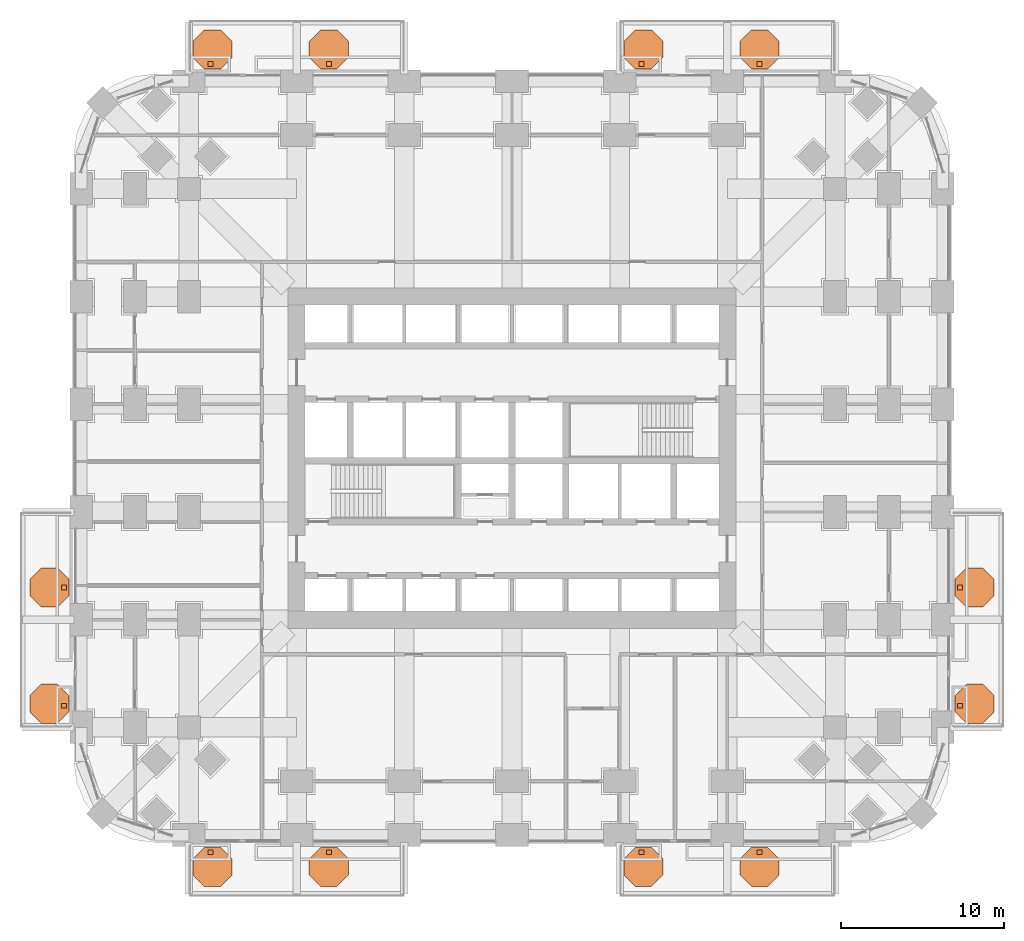
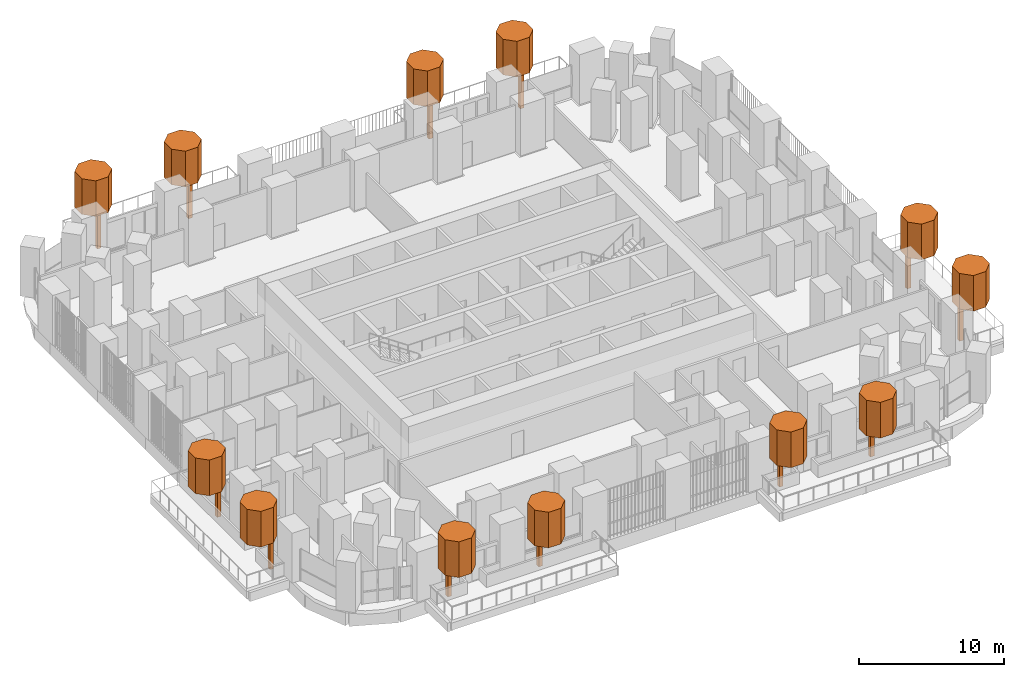
# One storey, part 25 of 25: 24 geographic elements.
"""IFC4 building model written with IfcOpenShell, lengths in metres."""

import ifcopenshell
import ifcopenshell.guid

model = None  # the IFC model being written
_history = None  # IfcOwnerHistory: only IFC2X3 demands one
_inside = {}  # id of a spatial element -> (the spatial element, [elements in it])
_under = {}  # id of a project, library or spatial element -> (it, [spatial elements below it])
_declared = {}  # id of a project -> (the project, [libraries it declares])
_typed = {}  # id of a type object -> (the type object, [elements of that type])
_made_of = {}  # id of a material, layer set ... -> (it, [elements and type objects made of it])


def new_model(schema):
    """Start an empty IFC model of exactly this schema.

    Asked for "IFC4X3", IfcOpenShell would pick the latest addendum, in which some entities
    have other attributes; the version numbers below select the first issue.
    IFC2X3 requires an IfcOwnerHistory on every rooted entity: one is made here for all.
    """
    global model, _history
    if schema == "IFC4X3":
        model = ifcopenshell.file(schema_version=(4, 3, 0, 0))
    else:
        model = ifcopenshell.file(schema=schema)
    _inside.clear()
    _under.clear()
    _declared.clear()
    _typed.clear()
    _made_of.clear()
    _history = None
    if model.schema == "IFC2X3":
        org = make("IfcOrganization", Name="unknown")
        user = make(
            "IfcPersonAndOrganization",
            ThePerson=make("IfcPerson", FamilyName="unknown"),
            TheOrganization=org,
        )
        app = make(
            "IfcApplication",
            ApplicationDeveloper=org,
            Version="unknown",
            ApplicationFullName="unknown",
            ApplicationIdentifier="unknown",
        )
        _history = make(
            "IfcOwnerHistory",
            OwningUser=user,
            OwningApplication=app,
            ChangeAction="ADDED",
            CreationDate=0,
        )
    return model


def make(cls, **values):
    """One entity of the class cls with the attributes given. An attribute that is None is left unset."""
    return model.create_entity(
        cls, **{name: value for name, value in values.items() if value is not None}
    )


def rooted(cls, **values):
    """An entity with a GlobalId (a new one), such as an element, a storey or a relation."""
    return make(cls, GlobalId=ifcopenshell.guid.new(), OwnerHistory=_history, **values)


def si_unit(unit_type, name, prefix=None):
    """IfcSIUnit, for example si_unit("LENGTHUNIT", "METRE", prefix="MILLI")."""
    return make("IfcSIUnit", UnitType=unit_type, Prefix=prefix, Name=name)


def assignment(units):
    """IfcUnitAssignment: the units of a project."""
    return None if units is None else make("IfcUnitAssignment", Units=units)


def point(xyz):
    """IfcCartesianPoint."""
    return None if xyz is None else make("IfcCartesianPoint", Coordinates=xyz)


def direction(xyz):
    """IfcDirection."""
    return None if xyz is None else make("IfcDirection", DirectionRatios=xyz)


def frame(location, z_axis=None, x_axis=None):
    """IfcAxis2Placement3D, a coordinate frame: its origin and axes. An axis left out is left unset."""
    return make(
        "IfcAxis2Placement3D",
        Location=point(location),
        Axis=direction(z_axis),
        RefDirection=direction(x_axis),
    )


def frame_2d(location, x_axis=None):
    """IfcAxis2Placement2D, a coordinate frame in the plane: its origin and x axis."""
    return make(
        "IfcAxis2Placement2D", Location=point(location), RefDirection=direction(x_axis)
    )


def origin():
    """The frame at (0, 0, 0) with its axes left unset."""
    return frame((0.0, 0.0, 0.0))


def origin_2d():
    """The frame at (0, 0) in the plane with its x axis left unset."""
    return frame_2d((0.0, 0.0))


def place(relative_to, where):
    """IfcLocalPlacement: puts the frame where relative to a parent placement (None: the world)."""
    return make(
        "IfcLocalPlacement", PlacementRelTo=relative_to, RelativePlacement=where
    )


def context(
    kind, dimensions, precision=None, world=None, true_north=None, identifier=None
):
    """IfcGeometricRepresentationContext, for example the 3D "Model" context."""
    return make(
        "IfcGeometricRepresentationContext",
        ContextIdentifier=identifier,
        ContextType=kind,
        CoordinateSpaceDimension=dimensions,
        Precision=precision,
        WorldCoordinateSystem=world,
        TrueNorth=true_north,
    )


def subcontext(parent, identifier, kind, view, scale=None):
    """IfcGeometricRepresentationSubContext, for example "Body" below "Model"."""
    return make(
        "IfcGeometricRepresentationSubContext",
        ContextIdentifier=identifier,
        ContextType=kind,
        ParentContext=parent,
        TargetScale=scale,
        TargetView=view,
    )


def project(units=None, contexts=None):
    """IfcProject with its units and contexts."""
    return rooted(
        "IfcProject",
        Name="project",
        RepresentationContexts=contexts,
        UnitsInContext=assignment(units),
    )


def spatial(cls, under=None, at=None, **own):
    """A site, building, storey or space (cls), placed at a placement, below another one or the project."""
    s = rooted(cls, ObjectPlacement=at, **own)
    if under is not None:
        _under.setdefault(under.id(), (under, []))[1].append(s)
    return s


def polyline(points):
    """IfcPolyline through the points."""
    return make("IfcPolyline", Points=[point(p) for p in points])


def profile(cls, at=None, kind="AREA", **sizes):
    """A parametric profile (cls). Its sizes go by their IFC names, for example OverallWidth=200.0."""
    return make(cls, ProfileType=kind, Position=at, **sizes)


def rectangle(**sizes):
    """IfcRectangleProfileDef."""
    return profile("IfcRectangleProfileDef", **sizes)


def outline(outer, holes=None, kind="AREA"):
    """IfcArbitraryClosedProfileDef: a profile drawn as a closed curve; with holes, ...WithVoids."""
    if holes is None:
        return make("IfcArbitraryClosedProfileDef", ProfileType=kind, OuterCurve=outer)
    return make(
        "IfcArbitraryProfileDefWithVoids",
        ProfileType=kind,
        OuterCurve=outer,
        InnerCurves=holes,
    )


def extrude(swept, where, along, depth):
    """IfcExtrudedAreaSolid: the profile swept, set in the frame where, extruded along a direction by depth."""
    return make(
        "IfcExtrudedAreaSolid",
        SweptArea=swept,
        Position=where,
        ExtrudedDirection=direction(along),
        Depth=depth,
    )


def shape(context_of_items, identifier, shape_type, items):
    """IfcShapeRepresentation: the items that make up one representation, for example the "Body"."""
    return make(
        "IfcShapeRepresentation",
        ContextOfItems=context_of_items,
        RepresentationIdentifier=identifier,
        RepresentationType=shape_type,
        Items=items,
    )


def material(Name=None, Category=None):
    """IfcMaterial."""
    return make("IfcMaterial", Name=Name, Category=Category)


def made_of(thing, what):
    """Note that an element or type object is made of a material, layer set ...; save() writes the relation."""
    if what is not None:
        _made_of.setdefault(what.id(), (what, []))[1].append(thing)
    return thing


def type_object(cls, material=None, **own):
    """A type object (cls), such as IfcWallType, which elements share."""
    return made_of(rooted(cls, **own), material)


def element(
    cls,
    number,
    at=None,
    inside=None,
    cuts=None,
    type_object=None,
    material=None,
    context=None,
    identifier="Body",
    shape_type=None,
    held_by="IfcProductDefinitionShape",
    body=None,
    shapes=None,
    **own,
):
    """One element of the class cls, such as IfcWall. Its Tag is "e" and its number.

    at: its placement. inside: the storey or other place that contains it. cuts: it is an
    opening in that element (IfcRelVoidsElement). A single representation is given by context,
    identifier, shape_type and body (its items); several are given by shapes. held_by: the class
    of the entity that holds the representations. save() writes the other relations.
    """
    e = rooted(cls, Tag="e%d" % number, ObjectPlacement=at, **own)
    if body is not None:
        shapes = [shape(context, identifier, shape_type, body)]
    if shapes is not None:
        e.Representation = make(held_by, Representations=shapes)
    if inside is not None:
        _inside.setdefault(inside.id(), (inside, []))[1].append(e)
    if cuts is not None:
        rooted(
            "IfcRelVoidsElement", RelatingBuildingElement=cuts, RelatedOpeningElement=e
        )
    if type_object is not None:
        _typed.setdefault(type_object.id(), (type_object, []))[1].append(e)
    return made_of(e, material)


def aggregate(whole, parts):
    """IfcRelAggregates: a whole, such as a stair, and the parts it consists of."""
    return rooted("IfcRelAggregates", RelatingObject=whole, RelatedObjects=parts)


def save(model, path):
    """Write the relations noted so far, then the file.

    IfcRelAggregates (storeys below a building ...), IfcRelContainedInSpatialStructure (elements
    in a storey), IfcRelDefinesByType, IfcRelAssociatesMaterial and IfcRelDeclares: one each for
    every whole, place, type object, material and project.
    """
    for whole, parts in _under.values():
        aggregate(whole, parts)
    for where, things in _inside.values():
        rooted(
            "IfcRelContainedInSpatialStructure",
            RelatedElements=things,
            RelatingStructure=where,
        )
    for kind, things in _typed.values():
        rooted("IfcRelDefinesByType", RelatedObjects=things, RelatingType=kind)
    for what, things in _made_of.values():
        rooted("IfcRelAssociatesMaterial", RelatedObjects=things, RelatingMaterial=what)
    for by, libraries in _declared.values():
        rooted("IfcRelDeclares", RelatingContext=by, RelatedDefinitions=libraries)
    model.write(path)


model = new_model("IFC4")

# Units and contexts
model_context = context("Model", 3, precision=1e-05, world=origin(), true_north=direction((0.0, 1.0)))
body_context = subcontext(model_context, "Body", "Model", "MODEL_VIEW")
ifc_project = project(units=[si_unit("LENGTHUNIT", "METRE"), si_unit("AREAUNIT", "SQUARE_METRE"), si_unit("VOLUMEUNIT", "CUBIC_METRE"), si_unit("PLANEANGLEUNIT", "RADIAN"), si_unit("MASSUNIT", "GRAM", prefix="KILO")], contexts=[model_context])

# Site, building, storey
site_placement = place(None, origin())
site = spatial("IfcSite", under=ifc_project, at=site_placement, CompositionType="ELEMENT")
building_placement = place(site_placement, origin())
building = spatial("IfcBuilding", under=site, at=building_placement, Name="Cobogo Forest Laboratory Tower", CompositionType="ELEMENT")
storey_placement = place(building_placement, frame((0.0, 0.0, 21.300048828125)))
storey = spatial("IfcBuildingStorey", under=building, at=storey_placement, Name="L04", CompositionType="ELEMENT", Elevation=21.300048828125)

# Geographic elements
ifc_material = material(Name="Planting", Category="plant")
geographic_element_type_1 = type_object("IfcGeographicElementType", Name="Tree trunk 300", PredefinedType="USERDEFINED", material=ifc_material)
for number, where, z_axis, x_axis, name in (
    (1, (7.925048828125, -1.050048828125, 0.0), (0.0, 0.0, 1.0), (1.0, 0.0, 0.0), "Tree trunk BAL-S1-PL1 L04"),
    (2, (15.175048828125, -1.050048828125, 0.0), (0.0, 0.0, 1.0), (1.0, 0.0, 0.0), "Tree trunk BAL-S1-PL2 L04"),
    (3, (34.324951171875, -1.050048828125, 0.0), (0.0, 0.0, 1.0), (1.0, 0.0, 0.0), "Tree trunk BAL-S2-PL1 L04"),
    (4, (41.574951171875, -1.050048828125, 0.0), (0.0, 0.0, 1.0), (1.0, 0.0, 0.0), "Tree trunk BAL-S2-PL2 L04"),
    (5, (53.85009765625, 7.925048828125, 0.0), (0.0, 0.0, 1.0), (1.0, 0.0, 0.0), "Tree trunk BAL-E1-PL1 L04"),
    (6, (53.85009765625, 15.175048828125, 0.0), (0.0, 0.0, 1.0), (1.0, 0.0, 0.0), "Tree trunk BAL-E1-PL2 L04"),
    (7, (7.925048828125, 47.25, 0.0), (0.0, 0.0, 1.0), (1.0, 0.0, 0.0), "Tree trunk BAL-N1-PL1 L04"),
    (8, (15.175048828125, 47.25, 0.0), (0.0, 0.0, 1.0), (1.0, 0.0, 0.0), "Tree trunk BAL-N1-PL2 L04"),
    (9, (34.324951171875, 47.25, 0.0), (0.0, 0.0, 1.0), (1.0, 0.0, 0.0), "Tree trunk BAL-N2-PL1 L04"),
    (10, (41.574951171875, 47.25, 0.0), (0.0, 0.0, 1.0), (1.0, 0.0, 0.0), "Tree trunk BAL-N2-PL2 L04"),
    (11, (-1.050048828125, 7.925048828125, 0.0), (0.0, 0.0, 1.0), (1.0, 0.0, 0.0), "Tree trunk BAL-W1-PL1 L04"),
    (12, (-1.050048828125, 15.175048828125, 0.0), (0.0, 0.0, 1.0), (1.0, 0.0, 0.0), "Tree trunk BAL-W1-PL2 L04"),
):
    element("IfcGeographicElement", number, at=place(storey_placement, frame(where, z_axis=z_axis, x_axis=x_axis)), inside=storey, type_object=geographic_element_type_1, Name=name, ObjectType="TREE TRUNK", PredefinedType="USERDEFINED", context=body_context, shape_type="SweptSolid", body=[
        extrude(rectangle(XDim=0.300048828125, YDim=0.300048828125, at=origin_2d()), origin(), (0.0, 0.0, 1.0), 2.89990234375),
    ])
geographic_element_type_2 = type_object("IfcGeographicElementType", Name="Tree, holm oak 5 m", PredefinedType="USERDEFINED", material=ifc_material)
geographic_element_1_placement = place(storey_placement, frame((0.0, 0.0, 2.89990234375)))
element("IfcGeographicElement", 13, at=geographic_element_1_placement, inside=storey, type_object=geographic_element_type_2, Name="Holm tree BAL-S1-PL1 L04", ObjectType="TREE", PredefinedType="USERDEFINED", context=body_context, shape_type="SweptSolid", body=[
    extrude(outline(polyline([(9.25, -2.447021484375), (9.25, -1.452880859375), (8.547119140625, -0.75), (7.552978515625, -0.75), (6.85009765625, -1.452880859375), (6.85009765625, -2.447021484375), (7.552978515625, -3.14990234375), (8.547119140625, -3.14990234375), (9.25, -2.447021484375)])), origin(), (0.0, 0.0, 1.0), 3.0),
])
geographic_element_2_placement = place(storey_placement, frame((0.0, 0.0, 2.89990234375)))
element("IfcGeographicElement", 14, at=geographic_element_2_placement, inside=storey, type_object=geographic_element_type_2, Name="Holm tree BAL-S1-PL2 L04", ObjectType="TREE", PredefinedType="USERDEFINED", context=body_context, shape_type="SweptSolid", body=[
    extrude(outline(polyline([(16.375, -2.447021484375), (16.375, -1.452880859375), (15.672119140625, -0.75), (14.677978515625, -0.75), (13.97509765625, -1.452880859375), (13.97509765625, -2.447021484375), (14.677978515625, -3.14990234375), (15.672119140625, -3.14990234375), (16.375, -2.447021484375)])), origin(), (0.0, 0.0, 1.0), 3.0),
])
geographic_element_3_placement = place(storey_placement, frame((0.0, 0.0, 2.89990234375)))
element("IfcGeographicElement", 15, at=geographic_element_3_placement, inside=storey, type_object=geographic_element_type_2, Name="Holm tree BAL-S2-PL1 L04", ObjectType="TREE", PredefinedType="USERDEFINED", context=body_context, shape_type="SweptSolid", body=[
    extrude(outline(polyline([(35.64990234375, -2.447021484375), (35.64990234375, -1.452880859375), (34.947021484375, -0.75), (33.952880859375, -0.75), (33.25, -1.452880859375), (33.25, -2.447021484375), (33.952880859375, -3.14990234375), (34.947021484375, -3.14990234375), (35.64990234375, -2.447021484375)])), origin(), (0.0, 0.0, 1.0), 3.0),
])
geographic_element_4_placement = place(storey_placement, frame((0.0, 0.0, 2.89990234375)))
element("IfcGeographicElement", 16, at=geographic_element_4_placement, inside=storey, type_object=geographic_element_type_2, Name="Holm tree BAL-S2-PL2 L04", ObjectType="TREE", PredefinedType="USERDEFINED", context=body_context, shape_type="SweptSolid", body=[
    extrude(outline(polyline([(42.77490234375, -2.447021484375), (42.77490234375, -1.452880859375), (42.072021484375, -0.75), (41.077880859375, -0.75), (40.375, -1.452880859375), (40.375, -2.447021484375), (41.077880859375, -3.14990234375), (42.072021484375, -3.14990234375), (42.77490234375, -2.447021484375)])), origin(), (0.0, 0.0, 1.0), 3.0),
])
geographic_element_5_placement = place(storey_placement, frame((0.0, 0.0, 2.89990234375)))
element("IfcGeographicElement", 17, at=geographic_element_5_placement, inside=storey, type_object=geographic_element_type_2, Name="Holm tree BAL-E1-PL1 L04", ObjectType="TREE", PredefinedType="USERDEFINED", context=body_context, shape_type="SweptSolid", body=[
    extrude(outline(polyline([(55.949951171875, 7.552978515625), (55.949951171875, 8.547119140625), (55.2470703125, 9.25), (54.2529296875, 9.25), (53.550048828125, 8.547119140625), (53.550048828125, 7.552978515625), (54.2529296875, 6.85009765625), (55.2470703125, 6.85009765625), (55.949951171875, 7.552978515625)])), origin(), (0.0, 0.0, 1.0), 3.0),
])
geographic_element_6_placement = place(storey_placement, frame((0.0, 0.0, 2.89990234375)))
element("IfcGeographicElement", 18, at=geographic_element_6_placement, inside=storey, type_object=geographic_element_type_2, Name="Holm tree BAL-E1-PL2 L04", ObjectType="TREE", PredefinedType="USERDEFINED", context=body_context, shape_type="SweptSolid", body=[
    extrude(outline(polyline([(55.949951171875, 14.677978515625), (55.949951171875, 15.672119140625), (55.2470703125, 16.375), (54.2529296875, 16.375), (53.550048828125, 15.672119140625), (53.550048828125, 14.677978515625), (54.2529296875, 13.97509765625), (55.2470703125, 13.97509765625), (55.949951171875, 14.677978515625)])), origin(), (0.0, 0.0, 1.0), 3.0),
])
geographic_element_7_placement = place(storey_placement, frame((0.0, 0.0, 2.89990234375)))
element("IfcGeographicElement", 19, at=geographic_element_7_placement, inside=storey, type_object=geographic_element_type_2, Name="Holm tree BAL-N1-PL1 L04", ObjectType="TREE", PredefinedType="USERDEFINED", context=body_context, shape_type="SweptSolid", body=[
    extrude(outline(polyline([(9.25, 47.65283203125), (9.25, 48.64697265625), (8.547119140625, 49.35009765625), (7.552978515625, 49.35009765625), (6.85009765625, 48.64697265625), (6.85009765625, 47.65283203125), (7.552978515625, 46.949951171875), (8.547119140625, 46.949951171875), (9.25, 47.65283203125)])), origin(), (0.0, 0.0, 1.0), 3.0),
])
geographic_element_8_placement = place(storey_placement, frame((0.0, 0.0, 2.89990234375)))
element("IfcGeographicElement", 20, at=geographic_element_8_placement, inside=storey, type_object=geographic_element_type_2, Name="Holm tree BAL-N1-PL2 L04", ObjectType="TREE", PredefinedType="USERDEFINED", context=body_context, shape_type="SweptSolid", body=[
    extrude(outline(polyline([(16.375, 47.65283203125), (16.375, 48.64697265625), (15.672119140625, 49.35009765625), (14.677978515625, 49.35009765625), (13.97509765625, 48.64697265625), (13.97509765625, 47.65283203125), (14.677978515625, 46.949951171875), (15.672119140625, 46.949951171875), (16.375, 47.65283203125)])), origin(), (0.0, 0.0, 1.0), 3.0),
])
geographic_element_9_placement = place(storey_placement, frame((0.0, 0.0, 2.89990234375)))
element("IfcGeographicElement", 21, at=geographic_element_9_placement, inside=storey, type_object=geographic_element_type_2, Name="Holm tree BAL-N2-PL1 L04", ObjectType="TREE", PredefinedType="USERDEFINED", context=body_context, shape_type="SweptSolid", body=[
    extrude(outline(polyline([(35.64990234375, 47.65283203125), (35.64990234375, 48.64697265625), (34.947021484375, 49.35009765625), (33.952880859375, 49.35009765625), (33.25, 48.64697265625), (33.25, 47.65283203125), (33.952880859375, 46.949951171875), (34.947021484375, 46.949951171875), (35.64990234375, 47.65283203125)])), origin(), (0.0, 0.0, 1.0), 3.0),
])
geographic_element_10_placement = place(storey_placement, frame((0.0, 0.0, 2.89990234375)))
element("IfcGeographicElement", 22, at=geographic_element_10_placement, inside=storey, type_object=geographic_element_type_2, Name="Holm tree BAL-N2-PL2 L04", ObjectType="TREE", PredefinedType="USERDEFINED", context=body_context, shape_type="SweptSolid", body=[
    extrude(outline(polyline([(42.77490234375, 47.65283203125), (42.77490234375, 48.64697265625), (42.072021484375, 49.35009765625), (41.077880859375, 49.35009765625), (40.375, 48.64697265625), (40.375, 47.65283203125), (41.077880859375, 46.949951171875), (42.072021484375, 46.949951171875), (42.77490234375, 47.65283203125)])), origin(), (0.0, 0.0, 1.0), 3.0),
])
geographic_element_11_placement = place(storey_placement, frame((0.0, 0.0, 2.89990234375)))
element("IfcGeographicElement", 23, at=geographic_element_11_placement, inside=storey, type_object=geographic_element_type_2, Name="Holm tree BAL-W1-PL1 L04", ObjectType="TREE", PredefinedType="USERDEFINED", context=body_context, shape_type="SweptSolid", body=[
    extrude(outline(polyline([(-0.75, 7.552978515625), (-0.75, 8.547119140625), (-1.452880859375, 9.25), (-2.447021484375, 9.25), (-3.14990234375, 8.547119140625), (-3.14990234375, 7.552978515625), (-2.447021484375, 6.85009765625), (-1.452880859375, 6.85009765625), (-0.75, 7.552978515625)])), origin(), (0.0, 0.0, 1.0), 3.0),
])
geographic_element_12_placement = place(storey_placement, frame((0.0, 0.0, 2.89990234375)))
element("IfcGeographicElement", 24, at=geographic_element_12_placement, inside=storey, type_object=geographic_element_type_2, Name="Holm tree BAL-W1-PL2 L04", ObjectType="TREE", PredefinedType="USERDEFINED", context=body_context, shape_type="SweptSolid", body=[
    extrude(outline(polyline([(-0.75, 14.677978515625), (-0.75, 15.672119140625), (-1.452880859375, 16.375), (-2.447021484375, 16.375), (-3.14990234375, 15.672119140625), (-3.14990234375, 14.677978515625), (-2.447021484375, 13.97509765625), (-1.452880859375, 13.97509765625), (-0.75, 14.677978515625)])), origin(), (0.0, 0.0, 1.0), 3.0),
])

save(model, "model.ifc")
